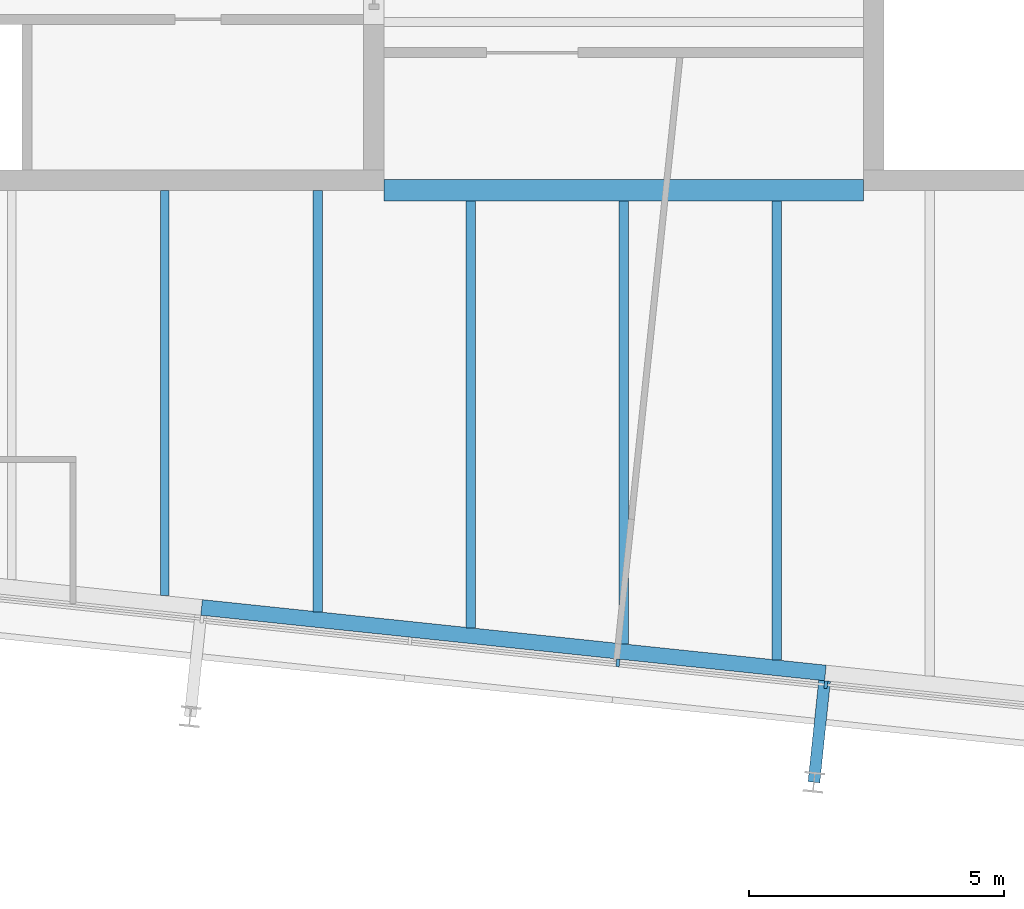
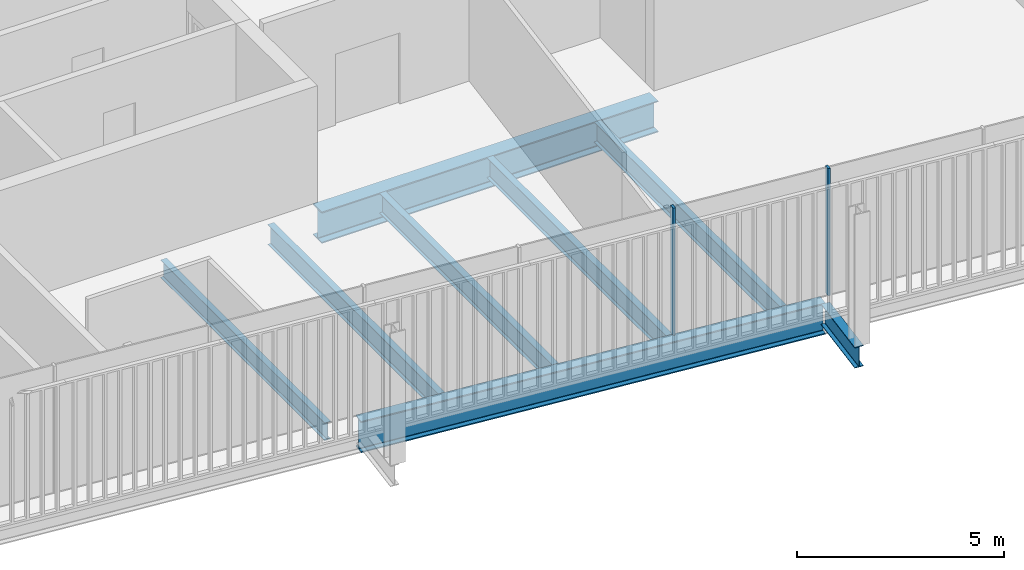
# One storey, part 5 of 19: 8 beams, 2 members, 1 element without a shape of its own.
"""IFC4 building model written with IfcOpenShell, lengths in metres."""

from ifc_helpers import new_model, si_unit, direction, frame, origin, origin_2d, place, context, subcontext, project, spatial, rectangle, i_section, extrude, material, layer, layer_set, material_profile, profile_set, type_object, element, aggregate, save


model = new_model("IFC4")

# Units and contexts
model_context = context("Model", 3, precision=1e-05, world=origin(), true_north=direction((0.0, 1.0)))
body_context = subcontext(model_context, "Body", "Model", "MODEL_VIEW")
ifc_project = project(units=[si_unit("LENGTHUNIT", "METRE"), si_unit("AREAUNIT", "SQUARE_METRE"), si_unit("VOLUMEUNIT", "CUBIC_METRE"), si_unit("PLANEANGLEUNIT", "RADIAN"), si_unit("MASSUNIT", "GRAM", prefix="KILO")], contexts=[model_context])

# Site, building, storey
site_placement = place(None, origin())
site = spatial("IfcSite", under=ifc_project, at=site_placement, CompositionType="ELEMENT")
building_placement = place(site_placement, origin())
building = spatial("IfcBuilding", under=site, at=building_placement, Name="Millrace Tower", CompositionType="ELEMENT")
storey_placement = place(building_placement, frame((0.0, 0.0, 338.199951171875)))
storey = spatial("IfcBuildingStorey", under=building, at=storey_placement, Name="L78", CompositionType="ELEMENT", Elevation=338.199951171875)

# Curtain wall, members
ifc_material_1 = material(Name="Aluminium and glass", Category="aluminium")
ifc_layer = layer(ifc_material_1, 0.14990234375)
ifc_layer_set = layer_set([ifc_layer], Name="Aluminium and glass")
curtain_wall_type = type_object("IfcCurtainWallType", Name="CW-1 office vision curtain wall", PredefinedType="NOTDEFINED", material=ifc_layer_set)
curtain_wall_placement = place(storey_placement, origin())
curtain_wall = element("IfcCurtainWall", 1, at=curtain_wall_placement, inside=storey, type_object=curtain_wall_type, Name="Curtain wall E-F02 L78", PredefinedType="NOTDEFINED")
ifc_material_2 = material(Name="Aluminium", Category="aluminium")
ifc_material_profile_1 = material_profile(ifc_material_2, rectangle(XDim=0.06494140625, YDim=0.14990234375, at=origin_2d()))
ifc_profile_set_1 = profile_set([ifc_material_profile_1], Name="Aluminium")
member_type = type_object("IfcMemberType", Name="CW-1 office vision curtain wall mullion", PredefinedType="MULLION", material=ifc_profile_set_1)
member_1_placement = place(storey_placement, frame((-0.11474609375, -18.567626953125, 0.14013671875), z_axis=(0.0, 0.0, 1.0), x_axis=(0.994521896217, -0.104528455196, 0.0)))
member_1 = element("IfcMember", 2, at=member_1_placement, type_object=member_type, Name="CW1 mullion E-F02.6", PredefinedType="MULLION", context=body_context, shape_type="SweptSolid", body=[
    extrude(rectangle(XDim=0.06494140625, YDim=0.14990234375, at=origin_2d()), origin(), (0.0, 0.0, 1.0), 3.760009765625),
])
member_2_placement = place(storey_placement, frame((3.962890625, -18.99609375, 0.14013671875), z_axis=(0.0, 0.0, 1.0), x_axis=(0.994521896217, -0.104528455196, 0.0)))
member_2 = element("IfcMember", 3, at=member_2_placement, type_object=member_type, Name="CW1 mullion E-F02.7", PredefinedType="MULLION", context=body_context, shape_type="SweptSolid", body=[
    extrude(rectangle(XDim=0.06494140625, YDim=0.14990234375, at=origin_2d()), origin(), (0.0, 0.0, 1.0), 3.760009765625),
])
aggregate(curtain_wall, [member_1, member_2])

# Beams
ifc_material_3 = material(Name="Steel ASTM A992 Grade 50", Category="steel")
ifc_material_profile_2 = material_profile(ifc_material_3, i_section(OverallWidth=0.1650390625, OverallDepth=0.52587890625, WebThickness=0.0087890625, FlangeThickness=0.011474609375, FilletRadius=0.0126953125, at=origin_2d()))
ifc_profile_set_2 = profile_set([ifc_material_profile_2], Name="Steel ASTM A992 Grade 50")
beam_type_1 = type_object("IfcBeamType", Name="Floor beam W21x44", PredefinedType="JOIST", material=ifc_profile_set_2)
beam_1_placement = place(storey_placement, frame((-9.0, -17.249267578125, -0.4228515625), z_axis=(0.0, 1.0, 0.0), x_axis=(-1.0, 0.0, 0.0)))
element("IfcBeam", 4, at=beam_1_placement, inside=storey, type_object=beam_type_1, Name="BM-E-L78-S1-S039", PredefinedType="JOIST", context=body_context, shape_type="SweptSolid", body=[
    extrude(i_section(OverallWidth=0.1650390625, OverallDepth=0.52587890625, WebThickness=0.0087890625, FlangeThickness=0.011474609375, FilletRadius=0.0126953125, at=origin_2d()), origin(), (0.0, 0.0, 1.0), 7.94921875),
])
ifc_material_4 = material(Name="Steel ASTM A992 Grade 50", Category="steel")
ifc_material_profile_3 = material_profile(ifc_material_4, i_section(OverallWidth=0.177978515625, OverallDepth=0.599365234375, WebThickness=0.010009765625, FlangeThickness=0.012939453125, FilletRadius=0.012939453125, at=origin_2d()))
ifc_profile_set_3 = profile_set([ifc_material_profile_3], Name="Steel ASTM A992 Grade 50")
beam_type_2 = type_object("IfcBeamType", Name="Floor beam W24x55", PredefinedType="JOIST", material=ifc_profile_set_3)
beam_2_placement = place(storey_placement, frame((-6.0, -17.564697265625, -0.459716796875), z_axis=(0.0, 1.0, 0.0), x_axis=(-1.0, 0.0, 0.0)))
element("IfcBeam", 5, at=beam_2_placement, inside=storey, type_object=beam_type_2, Name="BM-E-L78-S1-S041", PredefinedType="JOIST", context=body_context, shape_type="SweptSolid", body=[
    extrude(i_section(OverallWidth=0.177978515625, OverallDepth=0.599365234375, WebThickness=0.010009765625, FlangeThickness=0.012939453125, FilletRadius=0.012939453125, at=origin_2d()), origin(), (0.0, 0.0, 1.0), 8.2646484375),
])
beam_3_placement = place(storey_placement, frame((-3.0, -17.8798828125, -0.459716796875), z_axis=(0.0, 1.0, 0.0), x_axis=(-1.0, 0.0, 0.0)))
element("IfcBeam", 6, at=beam_3_placement, inside=storey, type_object=beam_type_2, Name="BM-E-L78-S1-S043", PredefinedType="JOIST", context=body_context, shape_type="SweptSolid", body=[
    extrude(i_section(OverallWidth=0.177978515625, OverallDepth=0.599365234375, WebThickness=0.010009765625, FlangeThickness=0.012939453125, FilletRadius=0.012939453125, at=origin_2d()), origin(), (0.0, 0.0, 1.0), 8.370361328125),
])
beam_4_placement = place(storey_placement, frame((0.0, -18.1953125, -0.459716796875), z_axis=(0.0, 1.0, 0.0), x_axis=(-1.0, 0.0, 0.0)))
element("IfcBeam", 7, at=beam_4_placement, inside=storey, type_object=beam_type_2, Name="BM-E-L78-S1-S045", PredefinedType="JOIST", context=body_context, shape_type="SweptSolid", body=[
    extrude(i_section(OverallWidth=0.177978515625, OverallDepth=0.599365234375, WebThickness=0.010009765625, FlangeThickness=0.012939453125, FilletRadius=0.012939453125, at=origin_2d()), origin(), (0.0, 0.0, 1.0), 8.685791015625),
])
beam_5_placement = place(storey_placement, frame((3.0, -18.510498046875, -0.459716796875), z_axis=(0.0, 1.0, 0.0), x_axis=(-1.0, 0.0, 0.0)))
element("IfcBeam", 8, at=beam_5_placement, inside=storey, type_object=beam_type_2, Name="BM-E-L78-S1-S047", PredefinedType="JOIST", context=body_context, shape_type="SweptSolid", body=[
    extrude(i_section(OverallWidth=0.177978515625, OverallDepth=0.599365234375, WebThickness=0.010009765625, FlangeThickness=0.012939453125, FilletRadius=0.012939453125, at=origin_2d()), origin(), (0.0, 0.0, 1.0), 9.0009765625),
])
ifc_material_5 = material(Name="Steel ASTM A992 Grade 50", Category="steel")
ifc_material_profile_4 = material_profile(ifc_material_5, i_section(OverallWidth=0.419189453125, OverallDepth=0.927001953125, WebThickness=0.019287109375, FlangeThickness=0.031982421875, FilletRadius=0.024169921875, at=origin_2d()))
ifc_profile_set_4 = profile_set([ifc_material_profile_4], Name="Steel ASTM A992 Grade 50")
beam_type_3 = type_object("IfcBeamType", Name="Girder short span W36x231", PredefinedType="BEAM", material=ifc_profile_set_4)
beam_6_placement = place(storey_placement, frame((-4.699951171875, -9.300048828125, -0.62353515625), z_axis=(1.0, 0.0, 0.0), x_axis=(0.0, 1.0, 0.0)))
element("IfcBeam", 9, at=beam_6_placement, inside=storey, type_object=beam_type_3, Name="BM-E-L78-S1-G059", PredefinedType="BEAM", context=body_context, shape_type="SweptSolid", body=[
    extrude(i_section(OverallWidth=0.419189453125, OverallDepth=0.927001953125, WebThickness=0.019287109375, FlangeThickness=0.031982421875, FilletRadius=0.024169921875, at=origin_2d()), origin(), (0.0, 0.0, 1.0), 9.39990234375),
])
ifc_material_6 = material(Name="Steel ASTM A992 Grade 50", Category="steel")
ifc_material_profile_5 = material_profile(ifc_material_6, i_section(OverallWidth=0.23046875, OverallDepth=0.6171875, WebThickness=0.01318359375, FlangeThickness=0.022216796875, FilletRadius=0.012939453125, at=origin_2d()))
ifc_profile_set_5 = profile_set([ifc_material_profile_5], Name="Steel ASTM A992 Grade 50")
beam_type_4 = type_object("IfcBeamType", Name="Link beam W24x94", PredefinedType="BEAM", material=ifc_profile_set_5)
beam_7_placement = place(storey_placement, frame((3.938232421875, -18.918212890625, -0.468505859375), z_axis=(-0.104494148666, -0.99452550138, 0.0), x_axis=(0.99452550138, -0.104494148666, 0.0)))
element("IfcBeam", 10, at=beam_7_placement, inside=storey, type_object=beam_type_4, Name="LNK-E-L78-S1-14", PredefinedType="BEAM", context=body_context, shape_type="SweptSolid", body=[
    extrude(i_section(OverallWidth=0.23046875, OverallDepth=0.6171875, WebThickness=0.01318359375, FlangeThickness=0.022216796875, FilletRadius=0.012939453125, at=origin_2d()), origin(), (0.0, 0.0, 1.0), 2.0),
])
ifc_material_7 = material(Name="Steel ASTM A992 Grade 50", Category="steel")
ifc_material_profile_6 = material_profile(ifc_material_7, i_section(OverallWidth=0.307373046875, OverallDepth=0.927001953125, WebThickness=0.01953125, FlangeThickness=0.031982421875, FilletRadius=0.01904296875, at=origin_2d()))
ifc_profile_set_6 = profile_set([ifc_material_profile_6], Name="Steel ASTM A992 Grade 50")
beam_type_5 = type_object("IfcBeamType", Name="Ring beam medium span W36x194", PredefinedType="SPANDREL", material=ifc_profile_set_6)
beam_8_placement = place(storey_placement, frame((3.954345703125, -18.765380859375, -0.62353515625), z_axis=(-0.994522406476, 0.104523600289, 0.0), x_axis=(-0.104523600289, -0.994522406476, 0.0)))
element("IfcBeam", 11, at=beam_8_placement, inside=storey, type_object=beam_type_5, Name="RNG-E-L78-S1-14", PredefinedType="SPANDREL", context=body_context, shape_type="SweptSolid", body=[
    extrude(i_section(OverallWidth=0.307373046875, OverallDepth=0.927001953125, WebThickness=0.01953125, FlangeThickness=0.031982421875, FilletRadius=0.01904296875, at=origin_2d()), origin(), (0.0, 0.0, 1.0), 12.300048828125),
])

save(model, "model.ifc")
